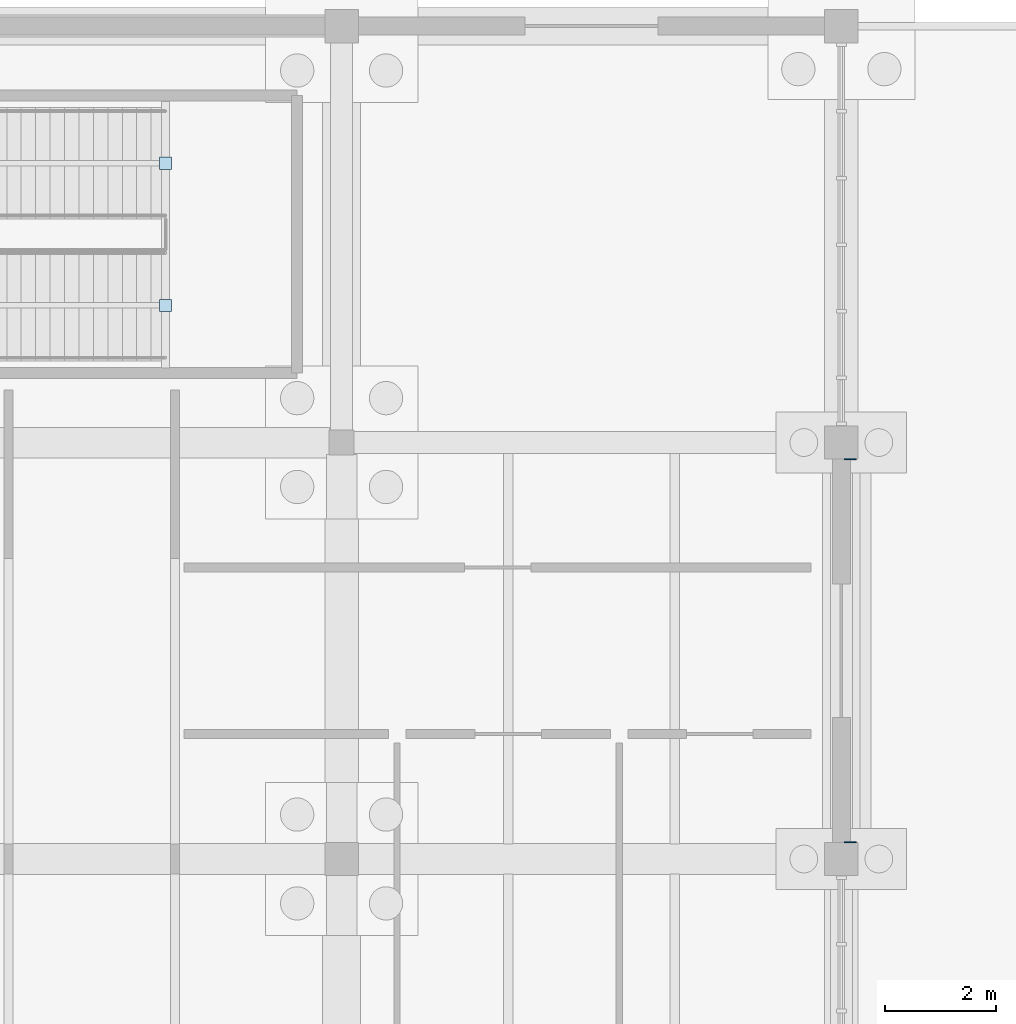
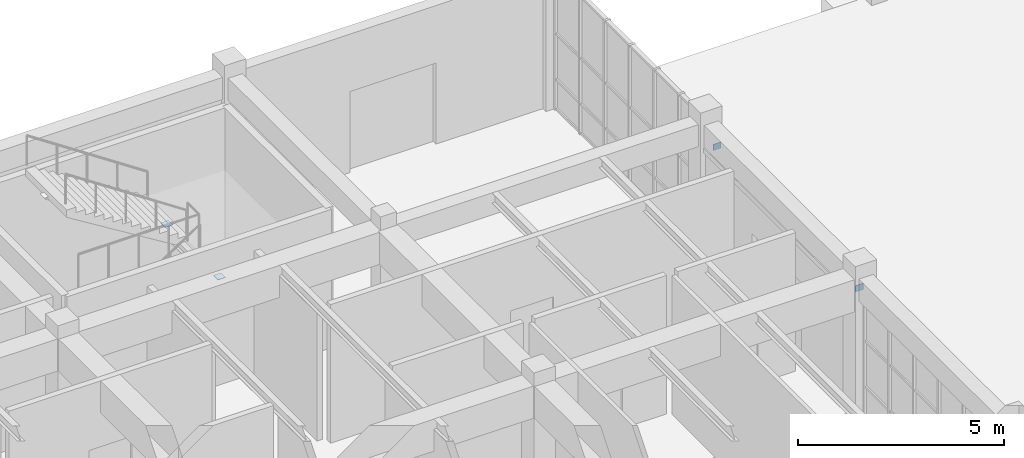
# One storey, part 62 of 93: 4 plates.
"""IFC4 building model written with IfcOpenShell, lengths in metres."""

from ifc_helpers import new_model, si_unit, direction, frame, origin, origin_2d, place, context, subcontext, project, spatial, rectangle, extrude, material, layer, layer_set, type_object, element, save


model = new_model("IFC4")

# Units and contexts
model_context = context("Model", 3, precision=1e-05, world=origin(), true_north=direction((0.0, 1.0)))
body_context = subcontext(model_context, "Body", "Model", "MODEL_VIEW")
ifc_project = project(units=[si_unit("LENGTHUNIT", "METRE"), si_unit("AREAUNIT", "SQUARE_METRE"), si_unit("VOLUMEUNIT", "CUBIC_METRE"), si_unit("PLANEANGLEUNIT", "RADIAN"), si_unit("MASSUNIT", "GRAM", prefix="KILO")], contexts=[model_context])

# Site, building, storey
site_placement = place(None, origin())
site = spatial("IfcSite", under=ifc_project, at=site_placement, CompositionType="ELEMENT")
building_placement = place(site_placement, origin())
building = spatial("IfcBuilding", under=site, at=building_placement, Name="Marnridge Secondary College", CompositionType="ELEMENT")
storey_placement = place(building_placement, origin())
storey = spatial("IfcBuildingStorey", under=building, at=storey_placement, Name="L00", CompositionType="ELEMENT", Elevation=0.0)

# Plates
ifc_material_1 = material(Name="Structural steel plate Grade 350 (AS/NZS 3678, fy = 350 MPa <=12mm, 340 MPa 12-20mm, 330 MPa 20-50mm)", Category="steel")
ifc_layer_1 = layer(ifc_material_1, 0.010009765625)
ifc_layer_set_1 = layer_set([ifc_layer_1], Name="PT-CAP-INT")
plate_type_1 = type_object("IfcPlateType", Name="PT-CAP-INT", PredefinedType="SHEET", material=ifc_layer_set_1)
for number, where, z_axis, x_axis, name in (
    (1, (113.828369140625, 24.969970703125, 2.1357421875), (0.0, 0.0, 1.0), (1.0, 0.0, 0.0), "Tube end cap STR-053-EC2"),
    (2, (113.828369140625, 27.530029296875, 2.13818359375), (0.0, 0.0, 1.0), (-1.0, 0.0, 0.0), "Tube end cap STR-054-EC1"),
):
    element("IfcPlate", number, at=place(storey_placement, frame(where, z_axis=z_axis, x_axis=x_axis)), inside=storey, type_object=plate_type_1, Name=name, PredefinedType="SHEET", context=body_context, shape_type="SweptSolid", body=[
        extrude(rectangle(XDim=0.219970703125, YDim=0.219970703125, at=origin_2d()), origin(), (0.0, 0.0, 1.0), 0.010009765625),
    ])
ifc_material_2 = material(Name="Structural steel plate Grade 350 (AS/NZS 3678, fy = 350 MPa <=12mm, 340 MPa 12-20mm, 330 MPa 20-50mm)", Category="steel")
ifc_layer_2 = layer(ifc_material_2, 0.02392578125)
ifc_layer_set_2 = layer_set([ifc_layer_2], Name="PT-GUS-GSN2")
plate_type_2 = type_object("IfcPlateType", Name="PT-GUS-GSN2", PredefinedType="USERDEFINED", material=ifc_layer_set_2)
for number, where, z_axis, x_axis, name in (
    (3, (126.159912109375, 22.199951171875, 3.27197265625), (0.0, 0.0, 1.0), (1.0, 0.0, 0.0), "Solar fin end bracket plate SFN-0011-BP1"),
    (4, (126.159912109375, 15.300048828125, 3.27197265625), (0.0, 0.0, 1.0), (1.0, 0.0, 0.0), "Solar fin end bracket plate SFN-0011-BP2"),
):
    element("IfcPlate", number, at=place(storey_placement, frame(where, z_axis=z_axis, x_axis=x_axis)), inside=storey, type_object=plate_type_2, Name=name, ObjectType="GUSSET PLATE", PredefinedType="USERDEFINED", context=body_context, shape_type="SweptSolid", body=[
        extrude(rectangle(XDim=0.219970703125, YDim=0.01806640625, at=origin_2d()), origin(), (0.0, 0.0, 1.0), 0.179931640625),
    ])

save(model, "model.ifc")
